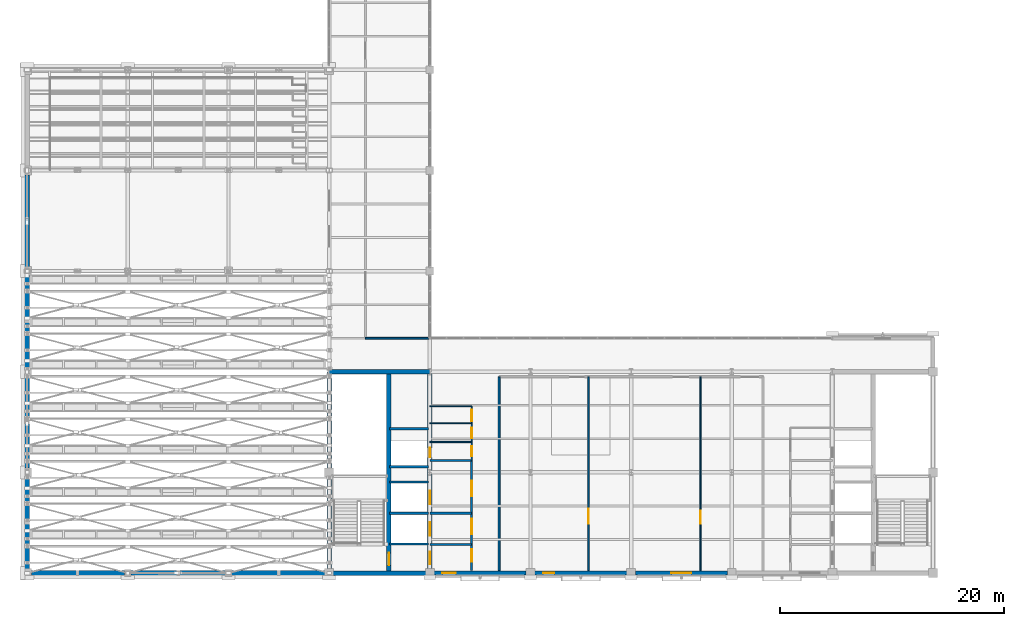
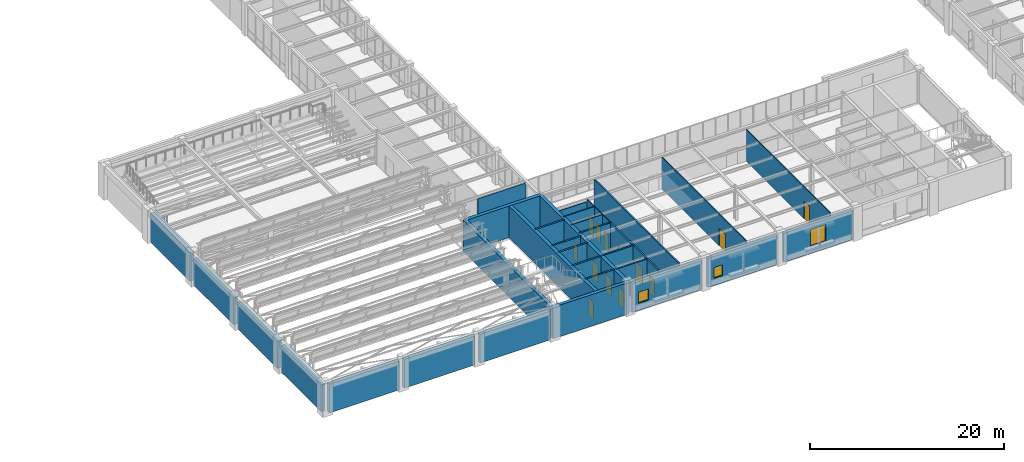
# One storey, part 90 of 108: 32 walls, 13 doors, 3 windows, 16 openings.
"""IFC4 building model written with IfcOpenShell, lengths in metres."""

from ifc_helpers import new_model, si_unit, direction, frame, frame_2d, origin, place, context, subcontext, project, spatial, rectangle, extrude, material, layer, layer_set, type_object, element, fill, save


model = new_model("IFC4")

# Units and contexts
model_context = context("Model", 3, precision=1e-05, world=origin(), true_north=direction((0.0, 1.0)))
body_context = subcontext(model_context, "Body", "Model", "MODEL_VIEW")
ifc_project = project(units=[si_unit("LENGTHUNIT", "METRE"), si_unit("AREAUNIT", "SQUARE_METRE"), si_unit("VOLUMEUNIT", "CUBIC_METRE"), si_unit("PLANEANGLEUNIT", "RADIAN"), si_unit("MASSUNIT", "GRAM", prefix="KILO")], contexts=[model_context])

# Site, building, storey
site_placement = place(None, origin())
site = spatial("IfcSite", under=ifc_project, at=site_placement, CompositionType="ELEMENT")
building_placement = place(site_placement, origin())
building = spatial("IfcBuilding", under=site, at=building_placement, Name="Lykobir Media Centre", CompositionType="ELEMENT")
storey_placement = place(building_placement, frame((0.0, 0.0, 15.0)))
storey = spatial("IfcBuildingStorey", under=building, at=storey_placement, Name="L03", CompositionType="ELEMENT", Elevation=15.0)

# Walls
ifc_material_1 = material(Name="Concrete C35/45", Category="concrete")
ifc_layer_1 = layer(ifc_material_1, 0.4599609375, Name="Concrete C35/45")
ifc_layer_set_1 = layer_set([ifc_layer_1], Name="Concrete C35/45")
wall_type_1 = type_object("IfcWallType", Name="EW-ACO-460", PredefinedType="STANDARD", material=ifc_layer_set_1)
wall_1_placement = place(storey_placement, frame((0.385009765625, 0.0, 0.0), z_axis=(0.0, 0.0, 1.0), x_axis=(1.0, 0.0, 0.0)))
element("IfcWall", 1, at=wall_1_placement, inside=storey, type_object=wall_type_1, Name="Exterior wall WALL-L03-0229", PredefinedType="STANDARD", context=body_context, shape_type="SweptSolid", body=[
    extrude(rectangle(XDim=8.330078125, YDim=0.4599609375, at=frame_2d((4.1650390625, 0.0))), origin(), (0.0, 0.0, 1.0), 3.625),
])
wall_2_placement = place(storey_placement, frame((9.284912109375, 0.0, 0.0), z_axis=(0.0, 0.0, 1.0), x_axis=(1.0, 0.0, 0.0)))
element("IfcWall", 2, at=wall_2_placement, inside=storey, type_object=wall_type_1, Name="Exterior wall WALL-L03-0230", PredefinedType="STANDARD", context=body_context, shape_type="SweptSolid", body=[
    extrude(rectangle(XDim=8.43017578125, YDim=0.4599609375, at=frame_2d((4.215087890625, 0.0))), origin(), (0.0, 0.0, 1.0), 3.625),
])
wall_3_placement = place(storey_placement, frame((18.284912109375, 0.0, 0.0), z_axis=(0.0, 0.0, 1.0), x_axis=(1.0, 0.0, 0.0)))
element("IfcWall", 3, at=wall_3_placement, inside=storey, type_object=wall_type_1, Name="Exterior wall WALL-L03-0231", PredefinedType="STANDARD", context=body_context, shape_type="SweptSolid", body=[
    extrude(rectangle(XDim=8.330078125, YDim=0.4599609375, at=frame_2d((4.1650390625, 0.0))), origin(), (0.0, 0.0, 1.0), 3.625),
])
wall_4_placement = place(storey_placement, frame((0.0, 35.614990234375, 0.0), z_axis=(0.0, 0.0, 1.0), x_axis=(0.0, -1.0, 0.0)))
element("IfcWall", 4, at=wall_4_placement, inside=storey, type_object=wall_type_1, Name="Exterior wall WALL-L03-0246", PredefinedType="STANDARD", context=body_context, shape_type="SweptSolid", body=[
    extrude(rectangle(XDim=8.22998046875, YDim=0.4599609375, at=frame_2d((4.114990234375, 0.0))), origin(), (0.0, 0.0, 1.0), 3.625),
])
for number, where, z_axis, x_axis, name in (
    (5, (0.0, 8.614990234375, 0.0), (0.0, 0.0, 1.0), (0.0, -1.0, 0.0), "Exterior wall WALL-L03-0248"),
    (6, (0.0, 17.614990234375, 0.0), (0.0, 0.0, 1.0), (0.0, -1.0, 0.0), "Exterior wall WALL-L03-0249"),
    (7, (0.0, 26.614990234375, 0.0), (0.0, 0.0, 1.0), (0.0, -1.0, 0.0), "Exterior wall WALL-L03-0250"),
):
    element("IfcWall", number, at=place(storey_placement, frame(where, z_axis=z_axis, x_axis=x_axis)), inside=storey, type_object=wall_type_1, Name=name, PredefinedType="STANDARD", context=body_context, shape_type="SweptSolid", body=[
        extrude(rectangle(XDim=8.22998046875, YDim=0.4599609375, at=frame_2d((4.114990234375, 0.0))), origin(), (0.0, 0.0, 1.0), 3.385009765625),
    ])

# Wall, opening, window
ifc_material_2 = material(Name="Architectural Ochre Brick", Category="masonry")
ifc_layer_2 = layer(ifc_material_2, 0.360107421875, Name="Architectural Ochre Brick")
ifc_layer_set_2 = layer_set([ifc_layer_2], Name="Architectural Ochre Brick")
wall_type_2 = type_object("IfcWallType", Name="EW-BRK-360", PredefinedType="STANDARD", material=ifc_layer_set_2)
wall_5_placement = place(storey_placement, frame((36.385009765625, 0.0, 0.0), z_axis=(0.0, 0.0, 1.0), x_axis=(1.0, 0.0, 0.0)))
wall_5 = element("IfcWall", 8, at=wall_5_placement, inside=storey, type_object=wall_type_2, Name="Exterior wall WALL-L03-0232", PredefinedType="STANDARD", context=body_context, shape_type="SweptSolid", body=[
    extrude(rectangle(XDim=8.22998046875, YDim=0.360107421875, at=frame_2d((4.114990234375, 0.0))), origin(), (0.0, 0.0, 1.0), 3.635009765625),
])
opening_1_placement = place(wall_5_placement, frame((0.75, 0.0, 0.89990234375)))
opening_1 = element("IfcOpeningElement", 9, at=opening_1_placement, cuts=wall_5, Name="Opening WN-1200x1400", PredefinedType="OPENING", context=body_context, shape_type="SweptSolid", body=[
    extrude(rectangle(XDim=1.199951171875, YDim=1.39990234375, at=frame_2d((0.60009765625, 0.699951171875))), frame((0.0, 0.18994140625, 0.0), z_axis=(0.0, -1.0, 0.0), x_axis=(1.0, 0.0, 0.0)), (0.0, 0.0, 1.0), 0.380126953125),
])
ifc_material_3 = material(Name="Low-E Laminated Triple Glazing", Category="glass")
window_type_1 = type_object("IfcWindowType", Name="WN-1200x1400", PartitioningType="SINGLE_PANEL", PredefinedType="WINDOW", material=ifc_material_3)
window_1_placement = place(opening_1_placement, origin())
window_1 = element("IfcWindow", 10, at=window_1_placement, inside=storey, type_object=window_type_1, Name="Window WIN-L03-0073", OverallHeight=1.39990234375, OverallWidth=1.199951171875, PartitioningType="SINGLE_PANEL", PredefinedType="WINDOW", context=body_context, shape_type="SweptSolid", body=[
    extrude(rectangle(XDim=1.199951171875, YDim=1.39990234375, at=frame_2d((0.60009765625, 0.699951171875))), frame((0.0, 0.030029296875, 0.0), z_axis=(0.0, -1.0, 0.0), x_axis=(1.0, 0.0, 0.0)), (0.0, 0.0, 1.0), 0.06005859375),
])
fill(opening_1, window_1)

wall_6_placement = place(storey_placement, frame((45.385009765625, 0.0, 0.0), z_axis=(0.0, 0.0, 1.0), x_axis=(1.0, 0.0, 0.0)))
wall_6 = element("IfcWall", 11, at=wall_6_placement, inside=storey, type_object=wall_type_2, Name="Exterior wall WALL-L03-0233", PredefinedType="STANDARD", context=body_context, shape_type="SweptSolid", body=[
    extrude(rectangle(XDim=8.22998046875, YDim=0.360107421875, at=frame_2d((4.114990234375, 0.0))), origin(), (0.0, 0.0, 1.0), 3.635009765625),
])
opening_2_placement = place(wall_6_placement, frame((0.75, 0.0, 0.89990234375)))
opening_2 = element("IfcOpeningElement", 12, at=opening_2_placement, cuts=wall_6, Name="Opening WN-1000x1350", PredefinedType="OPENING", context=body_context, shape_type="SweptSolid", body=[
    extrude(rectangle(XDim=1.0, YDim=1.35009765625, at=frame_2d((0.5, 0.675048828125))), frame((0.0, 0.18994140625, 0.0), z_axis=(0.0, -1.0, 0.0), x_axis=(1.0, 0.0, 0.0)), (0.0, 0.0, 1.0), 0.380126953125),
])
window_type_2 = type_object("IfcWindowType", Name="WN-1000x1350", PartitioningType="SINGLE_PANEL", PredefinedType="WINDOW", material=ifc_material_3)
window_2_placement = place(opening_2_placement, origin())
window_2 = element("IfcWindow", 13, at=window_2_placement, inside=storey, type_object=window_type_2, Name="Window WIN-L03-0074", OverallHeight=1.35009765625, OverallWidth=1.0, PartitioningType="SINGLE_PANEL", PredefinedType="WINDOW", context=body_context, shape_type="SweptSolid", body=[
    extrude(rectangle(XDim=1.0, YDim=1.35009765625, at=frame_2d((0.5, 0.675048828125))), frame((0.0, 0.030029296875, 0.0), z_axis=(0.0, -1.0, 0.0), x_axis=(1.0, 0.0, 0.0)), (0.0, 0.0, 1.0), 0.06005859375),
])
fill(opening_2, window_2)

wall_7_placement = place(storey_placement, frame((54.385009765625, 0.0, 0.0), z_axis=(0.0, 0.0, 1.0), x_axis=(1.0, 0.0, 0.0)))
wall_7 = element("IfcWall", 14, at=wall_7_placement, inside=storey, type_object=wall_type_2, Name="Exterior wall WALL-L03-0234", PredefinedType="STANDARD", context=body_context, shape_type="SweptSolid", body=[
    extrude(rectangle(XDim=8.22998046875, YDim=0.360107421875, at=frame_2d((4.114990234375, 0.0))), origin(), (0.0, 0.0, 1.0), 3.635009765625),
])
opening_3_placement = place(wall_7_placement, frame((3.215087890625, 0.0, 0.89990234375)))
opening_3 = element("IfcOpeningElement", 15, at=opening_3_placement, cuts=wall_7, Name="Opening WN-1800x2100", PredefinedType="OPENING", context=body_context, shape_type="SweptSolid", body=[
    extrude(rectangle(XDim=1.800048828125, YDim=2.10009765625, at=frame_2d((0.89990234375, 1.050048828125))), frame((0.0, 0.18994140625, 0.0), z_axis=(0.0, -1.0, 0.0), x_axis=(1.0, 0.0, 0.0)), (0.0, 0.0, 1.0), 0.380126953125),
])
window_type_3 = type_object("IfcWindowType", Name="WN-1800x2100", PartitioningType="SINGLE_PANEL", PredefinedType="WINDOW", material=ifc_material_3)
window_3_placement = place(opening_3_placement, origin())
window_3 = element("IfcWindow", 16, at=window_3_placement, inside=storey, type_object=window_type_3, Name="Window WIN-L03-0075", OverallHeight=2.10009765625, OverallWidth=1.800048828125, PartitioningType="SINGLE_PANEL", PredefinedType="WINDOW", context=body_context, shape_type="SweptSolid", body=[
    extrude(rectangle(XDim=1.800048828125, YDim=2.10009765625, at=frame_2d((0.89990234375, 1.050048828125))), frame((0.0, 0.030029296875, 0.0), z_axis=(0.0, -1.0, 0.0), x_axis=(1.0, 0.0, 0.0)), (0.0, 0.0, 1.0), 0.06005859375),
])
fill(opening_3, window_3)

# Walls
ifc_material_4 = material(Name="Acoustic Gypsum Board", Category="gypsum")
ifc_layer_3 = layer(ifc_material_4, 0.159912109375, Name="Acoustic Gypsum Board")
ifc_layer_set_3 = layer_set([ifc_layer_3], Name="Acoustic Gypsum Board")
wall_type_3 = type_object("IfcWallType", Name="IW-COR-160", PredefinedType="PARTITIONING", material=ifc_layer_set_3)
wall_8_placement = place(storey_placement, frame((42.199951171875, 0.219970703125, 0.0), z_axis=(0.0, 0.0, 1.0), x_axis=(0.0, 1.0, 0.0)))
element("IfcWall", 17, at=wall_8_placement, inside=storey, type_object=wall_type_3, Name="Wall IWALL-L03-0716", PredefinedType="PARTITIONING", context=body_context, shape_type="SweptSolid", body=[
    extrude(rectangle(XDim=17.330078125, YDim=0.159912109375, at=frame_2d((8.6650390625, 0.0))), origin(), (0.0, 0.0, 1.0), 3.9599609375),
])
wall_9_placement = place(storey_placement, frame((30.25, 21.0, 0.0), z_axis=(0.0, 0.0, 1.0), x_axis=(1.0, 0.0, 0.0)))
element("IfcWall", 18, at=wall_9_placement, inside=storey, type_object=wall_type_3, Name="Wall IWALL-L03-0721", PredefinedType="PARTITIONING", context=body_context, shape_type="SweptSolid", body=[
    extrude(rectangle(XDim=5.72998046875, YDim=0.159912109375, at=frame_2d((2.864990234375, 0.0))), origin(), (0.0, 0.0, 1.0), 3.64501953125),
])

# Wall, openings, doors
ifc_layer_4 = layer(ifc_material_4, 0.179931640625, Name="Acoustic Gypsum Board")
ifc_layer_set_4 = layer_set([ifc_layer_4], Name="Acoustic Gypsum Board")
wall_type_4 = type_object("IfcWallType", Name="IW-FFLOB-180", PredefinedType="PARTITIONING", material=ifc_layer_set_4)
wall_10_placement = place(storey_placement, frame((39.75, 0.219970703125, 0.0), z_axis=(0.0, 0.0, 1.0), x_axis=(0.0, 1.0, 0.0)))
wall_10 = element("IfcWall", 19, at=wall_10_placement, inside=storey, type_object=wall_type_4, Name="Wall IWALL-L03-0083", PredefinedType="PARTITIONING", context=body_context, shape_type="SweptSolid", body=[
    extrude(rectangle(XDim=9.830078125, YDim=0.179931640625, at=frame_2d((4.9150390625, 0.0))), origin(), (0.0, 0.0, 1.0), 3.9599609375),
])
opening_4_placement = place(wall_10_placement, frame((0.800048828125, 0.0, 0.0)))
opening_4 = element("IfcOpeningElement", 20, at=opening_4_placement, cuts=wall_10, Name="Opening D-L03-C1LV", PredefinedType="OPENING", context=body_context, shape_type="SweptSolid", body=[
    extrude(rectangle(XDim=1.10009765625, YDim=2.159912109375, at=frame_2d((0.550048828125, 1.080078125))), frame((0.0, 0.099853515625, 0.0), z_axis=(0.0, -1.0, 0.0), x_axis=(1.0, 0.0, 0.0)), (0.0, 0.0, 1.0), 0.199951171875),
])
opening_5_placement = place(wall_10_placement, frame((3.25, 0.0, 0.0)))
opening_5 = element("IfcOpeningElement", 21, at=opening_5_placement, cuts=wall_10, Name="Opening D-L03-C1PL", PredefinedType="OPENING", context=body_context, shape_type="SweptSolid", body=[
    extrude(rectangle(XDim=1.39990234375, YDim=2.199951171875, at=frame_2d((0.699951171875, 1.10009765625))), frame((0.0, 0.099853515625, 0.0), z_axis=(0.0, -1.0, 0.0), x_axis=(1.0, 0.0, 0.0)), (0.0, 0.0, 1.0), 0.199951171875),
])
opening_6_placement = place(wall_10_placement, frame((6.64990234375, 0.0, 0.0)))
opening_6 = element("IfcOpeningElement", 22, at=opening_6_placement, cuts=wall_10, Name="Opening D-L03-C1FF", PredefinedType="OPENING", context=body_context, shape_type="SweptSolid", body=[
    extrude(rectangle(XDim=1.39990234375, YDim=2.199951171875, at=frame_2d((0.699951171875, 1.10009765625))), frame((0.0, 0.099853515625, 0.0), z_axis=(0.0, -1.0, 0.0), x_axis=(1.0, 0.0, 0.0)), (0.0, 0.0, 1.0), 0.199951171875),
])
ifc_material_5 = material(Name="Acoustic Timber Panelling", Category="wood")
door_type_1 = type_object("IfcDoorType", Name="FD-1100x2160", OperationType="NOTDEFINED", PredefinedType="DOOR", material=ifc_material_5)
door_1_placement = place(opening_4_placement, origin())
door_1 = element("IfcDoor", 23, at=door_1_placement, inside=storey, type_object=door_type_1, Name="Door D-L03-C1LV", OperationType="SINGLE_SWING_RIGHT", OverallHeight=2.159912109375, OverallWidth=1.10009765625, PredefinedType="DOOR", context=body_context, shape_type="SweptSolid", body=[
    extrude(rectangle(XDim=1.10009765625, YDim=2.159912109375, at=frame_2d((0.550048828125, 1.080078125))), frame((0.0, 0.02490234375, 0.0), z_axis=(0.0, -1.0, 0.0), x_axis=(1.0, 0.0, 0.0)), (0.0, 0.0, 1.0), 0.050048828125),
])
fill(opening_4, door_1)
door_type_2 = type_object("IfcDoorType", Name="FD-1400x2200", OperationType="NOTDEFINED", PredefinedType="DOOR", material=ifc_material_5)
door_2_placement = place(opening_5_placement, origin())
door_2 = element("IfcDoor", 24, at=door_2_placement, inside=storey, type_object=door_type_2, Name="Door D-L03-C1PL", OperationType="DOUBLE_DOOR_SINGLE_SWING", OverallHeight=2.199951171875, OverallWidth=1.39990234375, PredefinedType="DOOR", context=body_context, shape_type="SweptSolid", body=[
    extrude(rectangle(XDim=1.39990234375, YDim=2.199951171875, at=frame_2d((0.699951171875, 1.10009765625))), frame((0.0, 0.02490234375, 0.0), z_axis=(0.0, -1.0, 0.0), x_axis=(1.0, 0.0, 0.0)), (0.0, 0.0, 1.0), 0.050048828125),
])
fill(opening_5, door_2)
door_3_placement = place(opening_6_placement, origin())
door_3 = element("IfcDoor", 25, at=door_3_placement, inside=storey, type_object=door_type_2, Name="Door D-L03-C1FF", OperationType="DOUBLE_DOOR_SINGLE_SWING", OverallHeight=2.199951171875, OverallWidth=1.39990234375, PredefinedType="DOOR", context=body_context, shape_type="SweptSolid", body=[
    extrude(rectangle(XDim=1.39990234375, YDim=2.199951171875, at=frame_2d((0.699951171875, 1.10009765625))), frame((0.0, 0.02490234375, 0.0), z_axis=(0.0, -1.0, 0.0), x_axis=(1.0, 0.0, 0.0)), (0.0, 0.0, 1.0), 0.050048828125),
])
fill(opening_6, door_3)

# Walls
for number, where, z_axis, x_axis, name in (
    (26, (36.0, 2.550048828125, 0.0), (0.0, 0.0, 1.0), (1.0, 0.0, 0.0), "Wall IWALL-L03-0084"),
    (27, (36.0, 5.35009765625, 0.0), (0.0, 0.0, 1.0), (1.0, 0.0, 0.0), "Wall IWALL-L03-0085"),
    (28, (36.0, 10.050048828125, 0.0), (0.0, 0.0, 1.0), (1.0, 0.0, 0.0), "Wall IWALL-L03-0086"),
):
    element("IfcWall", number, at=place(storey_placement, frame(where, z_axis=z_axis, x_axis=x_axis)), inside=storey, type_object=wall_type_4, Name=name, PredefinedType="PARTITIONING", context=body_context, shape_type="SweptSolid", body=[
        extrude(rectangle(XDim=3.75, YDim=0.179931640625, at=frame_2d((1.875, 0.0))), origin(), (0.0, 0.0, 1.0), 3.9599609375),
    ])

# Wall, opening, door
ifc_layer_5 = layer(ifc_material_4, 0.110107421875, Name="Acoustic Gypsum Board")
ifc_layer_set_5 = layer_set([ifc_layer_5], Name="Acoustic Gypsum Board")
wall_type_5 = type_object("IfcWallType", Name="IW-RM-110", PredefinedType="PARTITIONING", material=ifc_layer_set_5)
wall_11_placement = place(storey_placement, frame((60.199951171875, 0.219970703125, 0.0), z_axis=(0.0, 0.0, 1.0), x_axis=(0.0, 1.0, 0.0)))
wall_11 = element("IfcWall", 29, at=wall_11_placement, inside=storey, type_object=wall_type_5, Name="Wall IWALL-L03-0719", PredefinedType="PARTITIONING", context=body_context, shape_type="SweptSolid", body=[
    extrude(rectangle(XDim=17.330078125, YDim=0.110107421875, at=frame_2d((8.6650390625, 0.0))), origin(), (0.0, 0.0, 1.0), 3.9599609375),
])
opening_7_placement = place(wall_11_placement, frame((4.199951171875, 0.0, 0.0)))
opening_7 = element("IfcOpeningElement", 30, at=opening_7_placement, cuts=wall_11, Name="Opening D-L03-V7S2", PredefinedType="OPENING", context=body_context, shape_type="SweptSolid", body=[
    extrude(rectangle(XDim=1.14990234375, YDim=2.14990234375, at=frame_2d((0.574951171875, 1.074951171875))), frame((0.0, 0.06494140625, 0.0), z_axis=(0.0, -1.0, 0.0), x_axis=(1.0, 0.0, 0.0)), (0.0, 0.0, 1.0), 0.130126953125),
])
door_type_3 = type_object("IfcDoorType", Name="ID-1150x2150", OperationType="NOTDEFINED", PredefinedType="DOOR", material=ifc_material_5)
door_4_placement = place(opening_7_placement, origin())
door_4 = element("IfcDoor", 31, at=door_4_placement, inside=storey, type_object=door_type_3, Name="Door D-L03-V7S2", OperationType="SINGLE_SWING_RIGHT", OverallHeight=2.14990234375, OverallWidth=1.14990234375, PredefinedType="DOOR", context=body_context, shape_type="SweptSolid", body=[
    extrude(rectangle(XDim=1.14990234375, YDim=2.14990234375, at=frame_2d((0.574951171875, 1.074951171875))), frame((0.0, 0.02490234375, 0.0), z_axis=(0.0, -1.0, 0.0), x_axis=(1.0, 0.0, 0.0)), (0.0, 0.0, 1.0), 0.050048828125),
])
fill(opening_7, door_4)

ifc_layer_6 = layer(ifc_material_4, 0.125, Name="Acoustic Gypsum Board")
ifc_layer_set_6 = layer_set([ifc_layer_6], Name="Acoustic Gypsum Board")
wall_type_6 = type_object("IfcWallType", Name="IW-RM-125", PredefinedType="PARTITIONING", material=ifc_layer_set_6)
wall_12_placement = place(storey_placement, frame((50.199951171875, 0.219970703125, 0.0), z_axis=(0.0, 0.0, 1.0), x_axis=(0.0, 1.0, 0.0)))
wall_12 = element("IfcWall", 32, at=wall_12_placement, inside=storey, type_object=wall_type_6, Name="Wall IWALL-L03-0718", PredefinedType="PARTITIONING", context=body_context, shape_type="SweptSolid", body=[
    extrude(rectangle(XDim=17.330078125, YDim=0.125, at=frame_2d((8.6650390625, 0.0))), origin(), (0.0, 0.0, 1.0), 3.9599609375),
])
opening_8_placement = place(wall_12_placement, frame((4.199951171875, 0.0, 0.0)))
opening_8 = element("IfcOpeningElement", 33, at=opening_8_placement, cuts=wall_12, Name="Opening D-L03-V7S1", PredefinedType="OPENING", context=body_context, shape_type="SweptSolid", body=[
    extrude(rectangle(XDim=1.35009765625, YDim=2.179931640625, at=frame_2d((0.675048828125, 1.08984375))), frame((0.0, 0.072509765625, 0.0), z_axis=(0.0, -1.0, 0.0), x_axis=(1.0, 0.0, 0.0)), (0.0, 0.0, 1.0), 0.14501953125),
])
door_type_4 = type_object("IfcDoorType", Name="ID-1350x2180", OperationType="NOTDEFINED", PredefinedType="DOOR", material=ifc_material_5)
door_5_placement = place(opening_8_placement, origin())
door_5 = element("IfcDoor", 34, at=door_5_placement, inside=storey, type_object=door_type_4, Name="Door D-L03-V7S1", OperationType="SINGLE_SWING_RIGHT", OverallHeight=2.179931640625, OverallWidth=1.35009765625, PredefinedType="DOOR", context=body_context, shape_type="SweptSolid", body=[
    extrude(rectangle(XDim=1.35009765625, YDim=2.179931640625, at=frame_2d((0.675048828125, 1.08984375))), frame((0.0, 0.02490234375, 0.0), z_axis=(0.0, -1.0, 0.0), x_axis=(1.0, 0.0, 0.0)), (0.0, 0.0, 1.0), 0.050048828125),
])
fill(opening_8, door_5)

# Walls
ifc_material_6 = material(Name="Concrete C30/37", Category="concrete")
ifc_layer_7 = layer(ifc_material_6, 0.199951171875, Name="Concrete C30/37")
ifc_layer_set_7 = layer_set([ifc_layer_7], Name="Concrete C30/37")
wall_type_7 = type_object("IfcWallType", Name="IW-SHAFT-200", PredefinedType="PARTITIONING", material=ifc_layer_set_7)
for number, where, z_axis, x_axis, name in (
    (35, (32.39990234375, 2.60009765625, 0.0), (0.0, 0.0, 1.0), (1.0, 0.0, 0.0), "Wall IWALL-L03-0078"),
    (36, (32.39990234375, 5.35009765625, 0.0), (0.0, 0.0, 1.0), (1.0, 0.0, 0.0), "Wall IWALL-L03-0079"),
    (37, (32.39990234375, 8.14990234375, 0.0), (0.0, 0.0, 1.0), (1.0, 0.0, 0.0), "Wall IWALL-L03-0080"),
    (38, (32.39990234375, 9.5, 0.0), (0.0, 0.0, 1.0), (1.0, 0.0, 0.0), "Wall IWALL-L03-0081"),
    (39, (32.39990234375, 12.89990234375, 0.0), (0.0, 0.0, 1.0), (1.0, 0.0, 0.0), "Wall IWALL-L03-0082"),
):
    element("IfcWall", number, at=place(storey_placement, frame(where, z_axis=z_axis, x_axis=x_axis)), inside=storey, type_object=wall_type_7, Name=name, PredefinedType="PARTITIONING", context=body_context, shape_type="SweptSolid", body=[
        extrude(rectangle(XDim=3.5, YDim=0.199951171875, at=frame_2d((1.75, 0.0))), origin(), (0.0, 0.0, 1.0), 3.9599609375),
    ])

# Wall, openings, doors
ifc_layer_8 = layer(ifc_material_4, 0.094970703125, Name="Acoustic Gypsum Board")
ifc_layer_set_8 = layer_set([ifc_layer_8], Name="Acoustic Gypsum Board")
wall_type_8 = type_object("IfcWallType", Name="IW-WC-095", PredefinedType="PARTITIONING", material=ifc_layer_set_8)
wall_13_placement = place(storey_placement, frame((39.75, 10.050048828125, 0.0), z_axis=(0.0, 0.0, 1.0), x_axis=(0.0, 1.0, 0.0)))
wall_13 = element("IfcWall", 40, at=wall_13_placement, inside=storey, type_object=wall_type_8, Name="Wall IWALL-L03-0087", PredefinedType="PARTITIONING", context=body_context, shape_type="SweptSolid", body=[
    extrude(rectangle(XDim=4.849853515625, YDim=0.094970703125, at=frame_2d((2.4248046875, 0.0))), origin(), (0.0, 0.0, 1.0), 3.9599609375),
])
opening_9_placement = place(wall_13_placement, frame((0.3798828125, 0.0, 0.0)))
opening_9 = element("IfcOpeningElement", 41, at=opening_9_placement, cuts=wall_13, Name="Opening D-L03-WCM", PredefinedType="OPENING", context=body_context, shape_type="SweptSolid", body=[
    extrude(rectangle(XDim=0.919921875, YDim=2.10009765625, at=frame_2d((0.4599609375, 1.050048828125))), frame((0.0, 0.057373046875, 0.0), z_axis=(0.0, -1.0, 0.0), x_axis=(1.0, 0.0, 0.0)), (0.0, 0.0, 1.0), 0.114990234375),
])
opening_10_placement = place(wall_13_placement, frame((2.02001953125, 0.0, 0.0)))
opening_10 = element("IfcOpeningElement", 42, at=opening_10_placement, cuts=wall_13, Name="Opening D-L03-WCF", PredefinedType="OPENING", context=body_context, shape_type="SweptSolid", body=[
    extrude(rectangle(XDim=0.919921875, YDim=2.10009765625, at=frame_2d((0.4599609375, 1.050048828125))), frame((0.0, 0.057373046875, 0.0), z_axis=(0.0, -1.0, 0.0), x_axis=(1.0, 0.0, 0.0)), (0.0, 0.0, 1.0), 0.114990234375),
])
opening_11_placement = place(wall_13_placement, frame((3.52001953125, 0.0, 0.0)))
opening_11 = element("IfcOpeningElement", 43, at=opening_11_placement, cuts=wall_13, Name="Opening D-L03-WCA1", PredefinedType="OPENING", context=body_context, shape_type="SweptSolid", body=[
    extrude(rectangle(XDim=1.050048828125, YDim=2.1298828125, at=frame_2d((0.52490234375, 1.06494140625))), frame((0.0, 0.057373046875, 0.0), z_axis=(0.0, -1.0, 0.0), x_axis=(1.0, 0.0, 0.0)), (0.0, 0.0, 1.0), 0.114990234375),
])
door_type_5 = type_object("IfcDoorType", Name="ID-0920x2100", OperationType="NOTDEFINED", PredefinedType="DOOR", material=ifc_material_5)
door_6_placement = place(opening_9_placement, origin())
door_6 = element("IfcDoor", 44, at=door_6_placement, inside=storey, type_object=door_type_5, Name="Door D-L03-WCM", OperationType="SINGLE_SWING_LEFT", OverallHeight=2.10009765625, OverallWidth=0.919921875, PredefinedType="DOOR", context=body_context, shape_type="SweptSolid", body=[
    extrude(rectangle(XDim=0.919921875, YDim=2.10009765625, at=frame_2d((0.4599609375, 1.050048828125))), frame((0.0, 0.02490234375, 0.0), z_axis=(0.0, -1.0, 0.0), x_axis=(1.0, 0.0, 0.0)), (0.0, 0.0, 1.0), 0.050048828125),
])
fill(opening_9, door_6)
door_7_placement = place(opening_10_placement, origin())
door_7 = element("IfcDoor", 45, at=door_7_placement, inside=storey, type_object=door_type_5, Name="Door D-L03-WCF", OperationType="SINGLE_SWING_RIGHT", OverallHeight=2.10009765625, OverallWidth=0.919921875, PredefinedType="DOOR", context=body_context, shape_type="SweptSolid", body=[
    extrude(rectangle(XDim=0.919921875, YDim=2.10009765625, at=frame_2d((0.4599609375, 1.050048828125))), frame((0.0, 0.02490234375, 0.0), z_axis=(0.0, -1.0, 0.0), x_axis=(1.0, 0.0, 0.0)), (0.0, 0.0, 1.0), 0.050048828125),
])
fill(opening_10, door_7)
door_type_6 = type_object("IfcDoorType", Name="ID-1050x2130", OperationType="NOTDEFINED", PredefinedType="DOOR", material=ifc_material_5)
door_8_placement = place(opening_11_placement, origin())
door_8 = element("IfcDoor", 46, at=door_8_placement, inside=storey, type_object=door_type_6, Name="Door D-L03-WCA1", OperationType="SINGLE_SWING_LEFT", OverallHeight=2.1298828125, OverallWidth=1.050048828125, PredefinedType="DOOR", context=body_context, shape_type="SweptSolid", body=[
    extrude(rectangle(XDim=1.050048828125, YDim=2.1298828125, at=frame_2d((0.52490234375, 1.06494140625))), frame((0.0, 0.02490234375, 0.0), z_axis=(0.0, -1.0, 0.0), x_axis=(1.0, 0.0, 0.0)), (0.0, 0.0, 1.0), 0.050048828125),
])
fill(opening_11, door_8)

# Walls
for number, where, z_axis, x_axis, name in (
    (47, (36.0, 11.719970703125, 0.0), (0.0, 0.0, 1.0), (1.0, 0.0, 0.0), "Wall IWALL-L03-0088"),
    (48, (36.0, 13.3798828125, 0.0), (0.0, 0.0, 1.0), (1.0, 0.0, 0.0), "Wall IWALL-L03-0089"),
):
    element("IfcWall", number, at=place(storey_placement, frame(where, z_axis=z_axis, x_axis=x_axis)), inside=storey, type_object=wall_type_8, Name=name, PredefinedType="PARTITIONING", context=body_context, shape_type="SweptSolid", body=[
        extrude(rectangle(XDim=3.75, YDim=0.094970703125, at=frame_2d((1.875, 0.0))), origin(), (0.0, 0.0, 1.0), 3.9599609375),
    ])
wall_14_placement = place(storey_placement, frame((36.0, 14.89990234375, 0.0), z_axis=(0.0, 0.0, 1.0), x_axis=(1.0, 0.0, 0.0)))
element("IfcWall", 49, at=wall_14_placement, inside=storey, type_object=wall_type_8, Name="Wall IWALL-L03-0090", PredefinedType="PARTITIONING", context=body_context, shape_type="SweptSolid", body=[
    extrude(rectangle(XDim=3.75, YDim=0.094970703125, at=frame_2d((1.875, 0.0))), origin(), (0.0, 0.0, 1.0), 3.64501953125),
])

# Wall, openings, doors
ifc_material_7 = material(Name="Concrete C40/50", Category="concrete")
ifc_layer_9 = layer(ifc_material_7, 0.39990234375, Name="Concrete C40/50")
ifc_layer_set_9 = layer_set([ifc_layer_9], Name="Concrete C40/50")
wall_type_9 = type_object("IfcWallType", Name="SW-CORE-400", PredefinedType="SHEAR", material=ifc_layer_set_9)
wall_15_placement = place(storey_placement, frame((36.0, 0.0, 0.0), z_axis=(0.0, 0.0, 1.0), x_axis=(0.0, 1.0, 0.0)))
wall_15 = element("IfcWall", 50, at=wall_15_placement, inside=storey, type_object=wall_type_9, Name="Wall IWALL-L03-0074", PredefinedType="SHEAR", context=body_context, shape_type="SweptSolid", body=[
    extrude(rectangle(XDim=18.0, YDim=0.39990234375, at=frame_2d((9.0, 0.0))), origin(), (0.0, 0.0, 1.0), 3.9599609375),
])
opening_12_placement = place(wall_15_placement, frame((0.800048828125, 0.0, 0.0)))
opening_12 = element("IfcOpeningElement", 51, at=opening_12_placement, cuts=wall_15, Name="Opening D-L03-C1VB", PredefinedType="OPENING", context=body_context, shape_type="SweptSolid", body=[
    extrude(rectangle(XDim=1.10009765625, YDim=2.159912109375, at=frame_2d((0.550048828125, 1.080078125))), frame((0.0, 0.2099609375, 0.0), z_axis=(0.0, -1.0, 0.0), x_axis=(1.0, 0.0, 0.0)), (0.0, 0.0, 1.0), 0.419921875),
])
opening_13_placement = place(wall_15_placement, frame((3.35009765625, 0.0, 0.0)))
opening_13 = element("IfcOpeningElement", 52, at=opening_13_placement, cuts=wall_15, Name="Opening LD-L03-PL-1", PredefinedType="OPENING", context=body_context, shape_type="SweptSolid", body=[
    extrude(rectangle(XDim=1.199951171875, YDim=2.199951171875, at=frame_2d((0.60009765625, 1.10009765625))), frame((0.0, 0.2099609375, 0.0), z_axis=(0.0, -1.0, 0.0), x_axis=(1.0, 0.0, 0.0)), (0.0, 0.0, 1.0), 0.419921875),
])
opening_14_placement = place(wall_15_placement, frame((6.14990234375, 0.0, 0.0)))
opening_14 = element("IfcOpeningElement", 53, at=opening_14_placement, cuts=wall_15, Name="Opening LD-L03-FL-1", PredefinedType="OPENING", context=body_context, shape_type="SweptSolid", body=[
    extrude(rectangle(XDim=1.199951171875, YDim=2.199951171875, at=frame_2d((0.60009765625, 1.10009765625))), frame((0.0, 0.2099609375, 0.0), z_axis=(0.0, -1.0, 0.0), x_axis=(1.0, 0.0, 0.0)), (0.0, 0.0, 1.0), 0.419921875),
])
opening_15_placement = place(wall_15_placement, frame((10.35009765625, 0.0, 0.0)))
opening_15 = element("IfcOpeningElement", 54, at=opening_15_placement, cuts=wall_15, Name="Opening D-L03-C1RS", PredefinedType="OPENING", context=body_context, shape_type="SweptSolid", body=[
    extrude(rectangle(XDim=0.85009765625, YDim=2.10009765625, at=frame_2d((0.425048828125, 1.050048828125))), frame((0.0, 0.2099609375, 0.0), z_axis=(0.0, -1.0, 0.0), x_axis=(1.0, 0.0, 0.0)), (0.0, 0.0, 1.0), 0.419921875),
])
ifc_material_8 = material(Name="Anodized Aluminium AW-6060", Category="aluminium")
door_type_7 = type_object("IfcDoorType", Name="FD-0850x2100", OperationType="NOTDEFINED", PredefinedType="DOOR", material=ifc_material_8)
door_9_placement = place(opening_15_placement, origin())
door_9 = element("IfcDoor", 55, at=door_9_placement, inside=storey, type_object=door_type_7, Name="Riser access door C1 L03", OperationType="SINGLE_SWING_LEFT", OverallHeight=2.10009765625, OverallWidth=0.85009765625, PredefinedType="DOOR", context=body_context, shape_type="SweptSolid", body=[
    extrude(rectangle(XDim=0.85009765625, YDim=2.10009765625, at=frame_2d((0.425048828125, 1.050048828125))), frame((0.0, 0.02490234375, 0.0), z_axis=(0.0, -1.0, 0.0), x_axis=(1.0, 0.0, 0.0)), (0.0, 0.0, 1.0), 0.050048828125),
])
fill(opening_15, door_9)
door_10_placement = place(opening_12_placement, origin())
door_10 = element("IfcDoor", 56, at=door_10_placement, inside=storey, type_object=door_type_1, Name="Door D-L03-C1VB", OperationType="SINGLE_SWING_RIGHT", OverallHeight=2.159912109375, OverallWidth=1.10009765625, PredefinedType="DOOR", context=body_context, shape_type="SweptSolid", body=[
    extrude(rectangle(XDim=1.10009765625, YDim=2.159912109375, at=frame_2d((0.550048828125, 1.080078125))), frame((0.0, 0.02490234375, 0.0), z_axis=(0.0, -1.0, 0.0), x_axis=(1.0, 0.0, 0.0)), (0.0, 0.0, 1.0), 0.050048828125),
])
fill(opening_12, door_10)
door_type_8 = type_object("IfcDoorType", Name="LD-1200x2200", OperationType="NOTDEFINED", PredefinedType="DOOR", material=ifc_material_8)
door_11_placement = place(opening_13_placement, origin())
door_11 = element("IfcDoor", 57, at=door_11_placement, inside=storey, type_object=door_type_8, Name="Lift landing door PL-1 L03", OperationType="SLIDING_TO_LEFT", OverallHeight=2.199951171875, OverallWidth=1.199951171875, PredefinedType="DOOR", context=body_context, shape_type="SweptSolid", body=[
    extrude(rectangle(XDim=1.199951171875, YDim=2.199951171875, at=frame_2d((0.60009765625, 1.10009765625))), frame((0.0, 0.02490234375, 0.0), z_axis=(0.0, -1.0, 0.0), x_axis=(1.0, 0.0, 0.0)), (0.0, 0.0, 1.0), 0.050048828125),
])
fill(opening_13, door_11)
door_12_placement = place(opening_14_placement, origin())
door_12 = element("IfcDoor", 58, at=door_12_placement, inside=storey, type_object=door_type_8, Name="Firefighting lift landing door FL-1 L03", OperationType="SLIDING_TO_LEFT", OverallHeight=2.199951171875, OverallWidth=1.199951171875, PredefinedType="DOOR", context=body_context, shape_type="SweptSolid", body=[
    extrude(rectangle(XDim=1.199951171875, YDim=2.199951171875, at=frame_2d((0.60009765625, 1.10009765625))), frame((0.0, 0.02490234375, 0.0), z_axis=(0.0, -1.0, 0.0), x_axis=(1.0, 0.0, 0.0)), (0.0, 0.0, 1.0), 0.050048828125),
])
fill(opening_14, door_12)

# Wall, opening, door
wall_16_placement = place(storey_placement, frame((32.35009765625, 0.0, 0.0), z_axis=(0.0, 0.0, 1.0), x_axis=(0.0, 1.0, 0.0)))
wall_16 = element("IfcWall", 59, at=wall_16_placement, inside=storey, type_object=wall_type_9, Name="Wall IWALL-L03-0077", PredefinedType="SHEAR", context=body_context, shape_type="SweptSolid", body=[
    extrude(rectangle(XDim=18.0, YDim=0.39990234375, at=frame_2d((9.0, 0.0))), origin(), (0.0, 0.0, 1.0), 3.9599609375),
])
opening_16_placement = place(wall_16_placement, frame((0.699951171875, 0.0, 0.0)))
opening_16 = element("IfcOpeningElement", 60, at=opening_16_placement, cuts=wall_16, Name="Opening D-L03-C1ST", PredefinedType="OPENING", context=body_context, shape_type="SweptSolid", body=[
    extrude(rectangle(XDim=1.10009765625, YDim=2.159912109375, at=frame_2d((0.550048828125, 1.080078125))), frame((0.0, 0.2099609375, 0.0), z_axis=(0.0, -1.0, 0.0), x_axis=(1.0, 0.0, 0.0)), (0.0, 0.0, 1.0), 0.419921875),
])
door_13_placement = place(opening_16_placement, frame((1.10009765625, 0.0, 0.0), z_axis=(0.0, 0.0, 1.0), x_axis=(-1.0, 0.0, 0.0)))
door_13 = element("IfcDoor", 61, at=door_13_placement, inside=storey, type_object=door_type_1, Name="L03 ST-1 stairwell fire door", OperationType="SINGLE_SWING_LEFT", OverallHeight=2.159912109375, OverallWidth=1.10009765625, PredefinedType="DOOR", context=body_context, shape_type="SweptSolid", body=[
    extrude(rectangle(XDim=1.10009765625, YDim=2.159912109375, at=frame_2d((0.550048828125, 1.080078125))), frame((0.0, 0.02490234375, 0.0), z_axis=(0.0, -1.0, 0.0), x_axis=(1.0, 0.0, 0.0)), (0.0, 0.0, 1.0), 0.050048828125),
])
fill(opening_16, door_13)

# Walls
ifc_layer_10 = layer(ifc_material_7, 0.39990234375, Name="Concrete C40/50")
ifc_layer_set_10 = layer_set([ifc_layer_10], Name="Concrete C40/50")
wall_type_10 = type_object("IfcWallType", Name="SW-CORE-400-E", PredefinedType="SHEAR", material=ifc_layer_set_10)
for number, where, z_axis, x_axis, name in (
    (62, (27.0, 0.0, 0.0), (0.0, 0.0, 1.0), (1.0, 0.0, 0.0), "Wall IWALL-L03-0073"),
    (63, (36.0, 18.0, 0.0), (0.0, 0.0, 1.0), (-1.0, 0.0, 0.0), "Wall IWALL-L03-0075"),
):
    element("IfcWall", number, at=place(storey_placement, frame(where, z_axis=z_axis, x_axis=x_axis)), inside=storey, type_object=wall_type_10, Name=name, PredefinedType="SHEAR", context=body_context, shape_type="SweptSolid", body=[
        extrude(rectangle(XDim=9.0, YDim=0.39990234375, at=frame_2d((4.5, 0.0))), origin(), (0.0, 0.0, 1.0), 3.9599609375),
    ])
wall_17_placement = place(storey_placement, frame((27.0, 18.0, 0.0), z_axis=(0.0, 0.0, 1.0), x_axis=(0.0, -1.0, 0.0)))
element("IfcWall", 64, at=wall_17_placement, inside=storey, type_object=wall_type_10, Name="Wall IWALL-L03-0076", PredefinedType="SHEAR", context=body_context, shape_type="SweptSolid", body=[
    extrude(rectangle(XDim=18.0, YDim=0.39990234375, at=frame_2d((9.0, 0.0))), origin(), (0.0, 0.0, 1.0), 3.9599609375),
])

save(model, "model.ifc")
